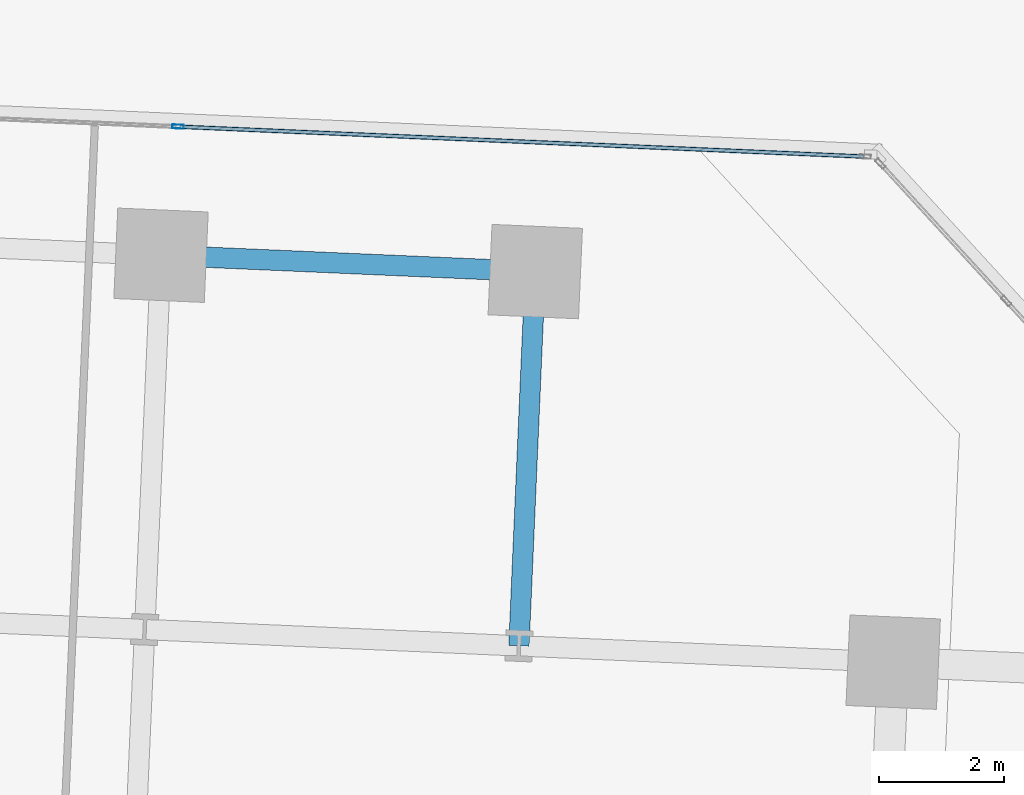
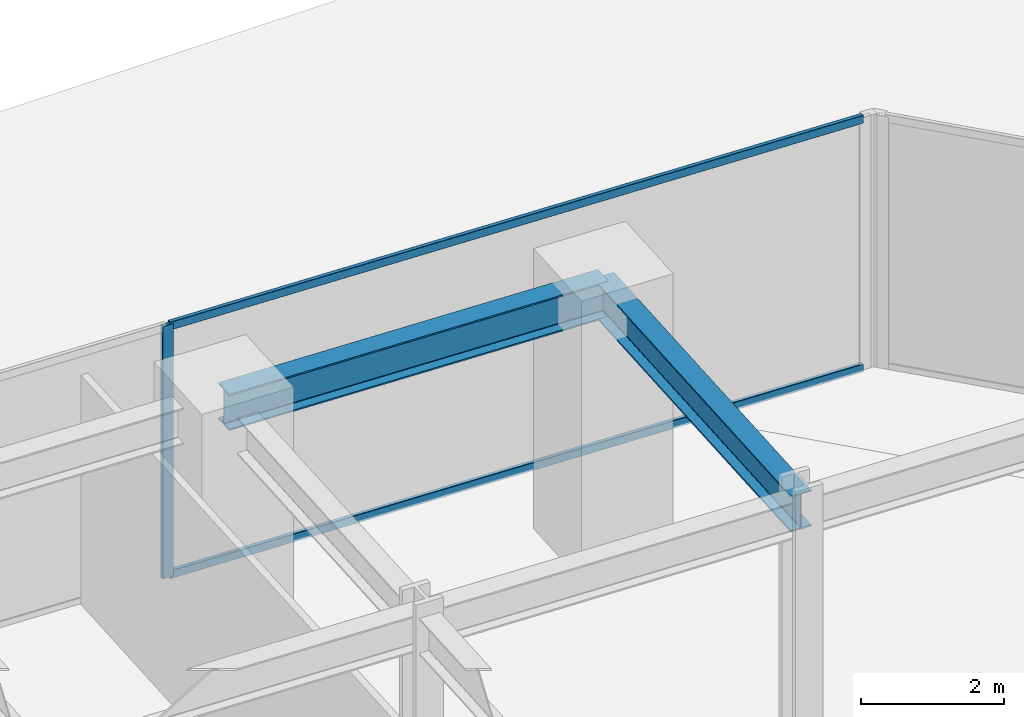
# One storey, part 23 of 33: 3 members, 2 beams, 1 element without a shape of its own.
"""IFC4 building model written with IfcOpenShell, lengths in metres."""

from ifc_helpers import new_model, si_unit, direction, frame, origin, origin_2d, place, context, subcontext, project, spatial, hollow_rectangle, i_section, extrude, source, transform, mapped, material, material_profile, profile_set, type_object, element, aggregate, save


model = new_model("IFC4")

# Units and contexts
model_context = context("Model", 3, precision=1e-05, world=origin(), true_north=direction((0.0, 1.0)))
body_context = subcontext(model_context, "Body", "Model", "MODEL_VIEW")
ifc_project = project(units=[si_unit("LENGTHUNIT", "METRE"), si_unit("AREAUNIT", "SQUARE_METRE"), si_unit("VOLUMEUNIT", "CUBIC_METRE"), si_unit("PLANEANGLEUNIT", "RADIAN"), si_unit("MASSUNIT", "GRAM", prefix="KILO")], contexts=[model_context])

# Site, building, storey
site_placement = place(None, origin())
site = spatial("IfcSite", under=ifc_project, at=site_placement, CompositionType="ELEMENT")
building_placement = place(site_placement, origin())
building = spatial("IfcBuilding", under=site, at=building_placement, Name="Torre Montelarca", CompositionType="ELEMENT")
storey_placement = place(building_placement, frame((0.0, 0.0, 32.800048828125)))
storey = spatial("IfcBuildingStorey", under=building, at=storey_placement, Name="L07", CompositionType="ELEMENT", Elevation=32.800048828125)

# Beams
ifc_material_1 = material(Name="Steel ASTM A992 Grade 50", Category="steel")
ifc_material_profile_1 = material_profile(ifc_material_1, i_section(OverallWidth=0.326904296875, OverallDepth=0.6220703125, WebThickness=0.015380859375, FlangeThickness=0.0244140625, FilletRadius=0.014892578125, at=origin_2d()), Name="W610X195", Category="steel")
ifc_profile_set_1 = profile_set([ifc_material_profile_1], Name="Steel ASTM A992 Grade 50")
beam_type = type_object("IfcBeamType", Name="BM-G-W610H", PredefinedType="BEAM", material=ifc_profile_set_1)
shared_shape_1 = source(origin(), body_context, "Body", "SweptSolid", [
    extrude(i_section(OverallWidth=0.326904296875, OverallDepth=0.6220703125, WebThickness=0.015380859375, FlangeThickness=0.0244140625, FilletRadius=0.014892578125, at=origin_2d()), origin(), (0.0, 0.0, 1.0), 6.0),
])
beam_1_placement = place(storey_placement, frame((54.318115234375, 38.57470703125, 4.2490234375), z_axis=(0.043578485603, 0.999050006552, 0.0), x_axis=(-0.999050006552, 0.043578485603, 0.0)))
element("IfcBeam", 1, at=beam_1_placement, inside=storey, type_object=beam_type, Name="L07 Grid Girder Y 40.0-46.0 at X=54.0", PredefinedType="BEAM", context=body_context, shape_type="MappedRepresentation", body=[
    mapped(shared_shape_1, transform((0.0, 0.0, 0.0), scale=1.0)),
])
shared_shape_2 = source(origin(), body_context, "Body", "SweptSolid", [
    extrude(i_section(OverallWidth=0.326904296875, OverallDepth=0.6220703125, WebThickness=0.015380859375, FlangeThickness=0.0244140625, FilletRadius=0.014892578125, at=origin_2d()), origin(), (0.0, 0.0, 1.0), 5.999755859375),
])
beam_2_placement = place(storey_placement, frame((48.58544921875, 44.830810546875, 4.2490234375), z_axis=(0.999048156805, -0.043620870972, 0.0), x_axis=(0.043620870972, 0.999048156805, 0.0)))
element("IfcBeam", 2, at=beam_2_placement, inside=storey, type_object=beam_type, Name="L07 Grid Girder X 48.0-54.0 at Y=46.0", PredefinedType="BEAM", context=body_context, shape_type="MappedRepresentation", body=[
    mapped(shared_shape_2, transform((0.0, 0.0, 0.0), scale=1.0)),
])

# Curtain wall, members
ifc_material_2 = material(Name="Insulated low-E laminated glass", Category="glass")
curtain_wall_type = type_object("IfcCurtainWallType", Name="CW-SYS-Z1", PredefinedType="USERDEFINED", material=ifc_material_2)
curtain_wall_placement = place(storey_placement, origin())
curtain_wall = element("IfcCurtainWall", 3, at=curtain_wall_placement, inside=storey, type_object=curtain_wall_type, Name="L07 Curtain Wall Run CW-T3-L07-E08-B1", ObjectType="UNITISED GLAZING", PredefinedType="USERDEFINED")
ifc_material_3 = material(Name="Anodised aluminium AA 6063-T6", Category="aluminium")
ifc_material_profile_2 = material_profile(ifc_material_3, hollow_rectangle(XDim=0.06494140625, YDim=0.179931640625, WallThickness=0.00390625, InnerFilletRadius=0.00390625, OuterFilletRadius=0.008056640625, at=origin_2d()), Name="ALU65X180X4", Category="aluminium")
ifc_profile_set_2 = profile_set([ifc_material_profile_2], Name="Anodised aluminium AA 6063-T6")
member_type_1 = type_object("IfcMemberType", Name="CWM-ALU180", PredefinedType="MULLION", material=ifc_profile_set_2)
shared_shape_3 = source(origin(), body_context, "Body", "SweptSolid", [
    extrude(hollow_rectangle(XDim=0.06494140625, YDim=0.179931640625, WallThickness=0.00390625, InnerFilletRadius=0.00390625, OuterFilletRadius=0.008056640625, at=origin_2d()), origin(), (0.0, 0.0, 1.0), 4.320068359375),
])
member_1_placement = place(storey_placement, frame((48.857666015625, 46.890869140625, 0.0), z_axis=(0.0, 0.0, 1.0), x_axis=(-0.043620788577, -0.999048160403, 0.0)))
member_1 = element("IfcMember", 4, at=member_1_placement, type_object=member_type_1, Name="CW mullion 2", PredefinedType="MULLION", context=body_context, shape_type="MappedRepresentation", body=[
    mapped(shared_shape_3, transform((0.0, 0.0, 0.0), scale=1.0)),
])
ifc_material_profile_3 = material_profile(ifc_material_3, hollow_rectangle(XDim=0.06494140625, YDim=0.139892578125, WallThickness=0.00390625, InnerFilletRadius=0.00390625, OuterFilletRadius=0.008056640625, at=origin_2d()), Name="ALU65X140X4", Category="aluminium")
ifc_profile_set_3 = profile_set([ifc_material_profile_3], Name="Anodised aluminium AA 6063-T6")
member_type_2 = type_object("IfcMemberType", Name="CWT-ALU140", PredefinedType="USERDEFINED", material=ifc_profile_set_3)
shared_shape_4 = source(origin(), body_context, "Body", "SweptSolid", [
    extrude(hollow_rectangle(XDim=0.06494140625, YDim=0.139892578125, WallThickness=0.00390625, InnerFilletRadius=0.00390625, OuterFilletRadius=0.008056640625, at=origin_2d()), origin(), (0.0, 0.0, 1.0), 10.95458984375),
])
member_2_placement = place(storey_placement, frame((59.834228515625, 46.41162109375, 0.032470703125), z_axis=(-0.999048405217, 0.04361518123, 0.0), x_axis=(-0.04361518123, -0.999048405217, 0.0)))
member_2 = element("IfcMember", 5, at=member_2_placement, type_object=member_type_2, Name="CW transom 1.1", ObjectType="TRANSOM", PredefinedType="USERDEFINED", context=body_context, shape_type="MappedRepresentation", body=[
    mapped(shared_shape_4, transform((0.0, 0.0, 0.0), scale=1.0)),
])
member_3_placement = place(storey_placement, frame((59.834228515625, 46.41162109375, 4.287353515625), z_axis=(-0.999048405217, 0.04361518123, 0.0), x_axis=(-0.04361518123, -0.999048405217, 0.0)))
member_3 = element("IfcMember", 6, at=member_3_placement, type_object=member_type_2, Name="CW transom 1.2", ObjectType="TRANSOM", PredefinedType="USERDEFINED", context=body_context, shape_type="MappedRepresentation", body=[
    mapped(shared_shape_4, transform((0.0, 0.0, 0.0), scale=1.0)),
])
aggregate(curtain_wall, [member_1, member_2, member_3])

save(model, "model.ifc")
